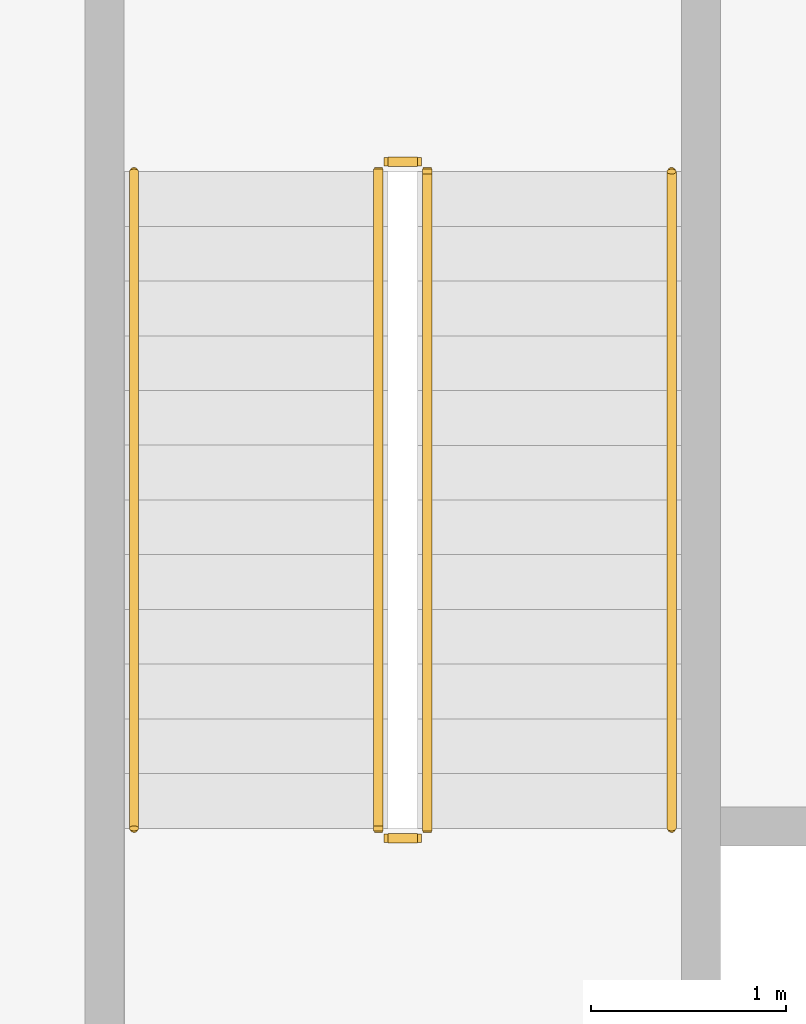
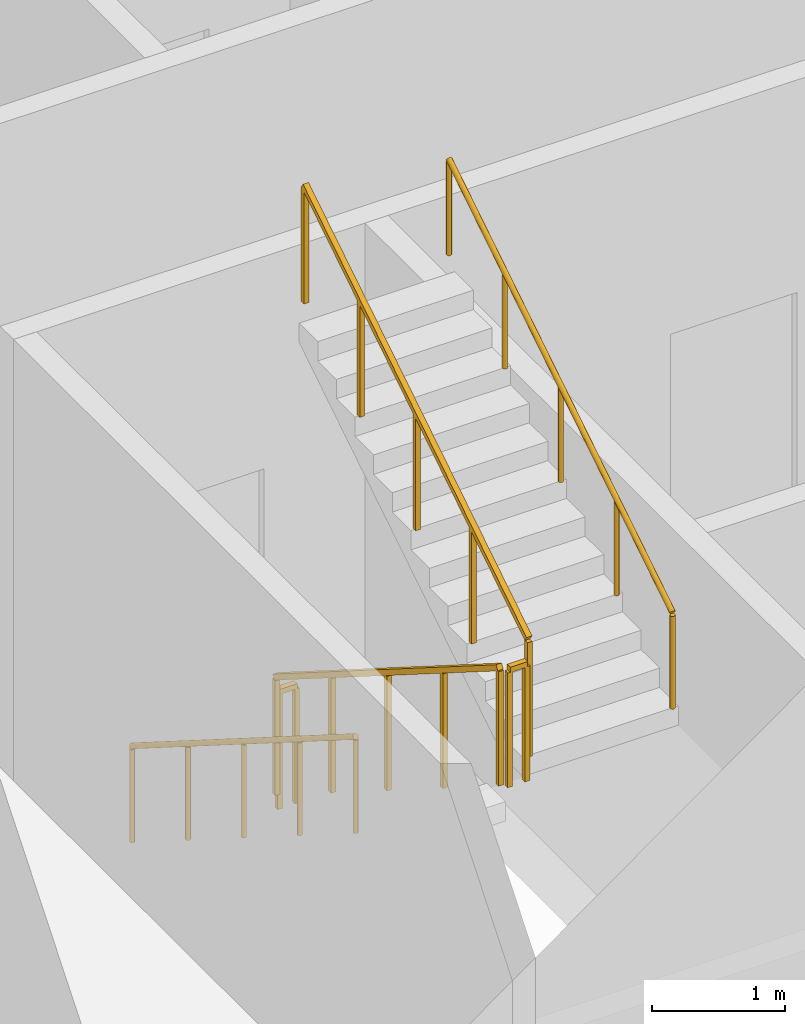
# One storey, part 16 of 20: 6 railings.
"""IFC4 building model written with IfcOpenShell, lengths in metres."""

from ifc_helpers import new_model, si_unit, direction, frame, origin, origin_2d, place, context, subcontext, project, spatial, rectangle, circle, extrude, material, type_object, element, save


model = new_model("IFC4")

# Units and contexts
model_context = context("Model", 3, precision=1e-05, world=origin(), true_north=direction((0.0, 1.0)))
body_context = subcontext(model_context, "Body", "Model", "MODEL_VIEW")
ifc_project = project(units=[si_unit("LENGTHUNIT", "METRE"), si_unit("AREAUNIT", "SQUARE_METRE"), si_unit("VOLUMEUNIT", "CUBIC_METRE"), si_unit("PLANEANGLEUNIT", "RADIAN"), si_unit("MASSUNIT", "GRAM", prefix="KILO")], contexts=[model_context])

# Site, building, storey
site_placement = place(None, origin())
site = spatial("IfcSite", under=ifc_project, at=site_placement, CompositionType="ELEMENT")
building_placement = place(site_placement, origin())
building = spatial("IfcBuilding", under=site, at=building_placement, Name="Mangrove Gate Tower", CompositionType="ELEMENT")
storey_placement = place(building_placement, frame((0.0, 0.0, 52.10009765625)))
storey = spatial("IfcBuildingStorey", under=building, at=storey_placement, Name="L12", CompositionType="ELEMENT", Elevation=52.10009765625)

# Railings
ifc_material_1 = material(Name="Stainless steel 316", Category="steel")
railing_type_1 = type_object("IfcRailingType", Name="Core stair guard 1100", PredefinedType="GUARDRAIL", material=ifc_material_1)
railing_1_placement = place(storey_placement, frame((-9.39990234375, -4.64990234375, 0.1767578125)))
element("IfcRailing", 1, at=railing_1_placement, inside=storey, type_object=railing_type_1, Name="L12 ST1 stair guard 1", PredefinedType="GUARDRAIL", context=body_context, shape_type="SweptSolid", body=[
    extrude(rectangle(XDim=0.048095703125, YDim=0.048095703125, at=origin_2d()), frame((0.0, 0.0, 1.076171875), z_axis=(0.0, -0.845389635667, 0.534150132366), x_axis=(1.0, 0.0, 0.0)), (0.0, 0.0, 1.0), 3.974609375),
    extrude(rectangle(XDim=0.0419921875, YDim=0.0419921875, at=origin_2d()), origin(), (0.0, 0.0, 1.0), 1.052001953125),
    extrude(rectangle(XDim=0.0419921875, YDim=0.0419921875, at=origin_2d()), frame((0.0, -0.840087890625, 0.53076171875)), (0.0, 0.0, 1.0), 1.052001953125),
    extrude(rectangle(XDim=0.0419921875, YDim=0.0419921875, at=origin_2d()), frame((0.0, -1.68017578125, 1.0615234375)), (0.0, 0.0, 1.0), 1.052001953125),
    extrude(rectangle(XDim=0.0419921875, YDim=0.0419921875, at=origin_2d()), frame((0.0, -2.52001953125, 1.59228515625)), (0.0, 0.0, 1.0), 1.052001953125),
    extrude(rectangle(XDim=0.0419921875, YDim=0.0419921875, at=origin_2d()), frame((0.0, -3.360107421875, 2.123046875)), (0.0, 0.0, 1.0), 1.052001953125),
])
railing_2_placement = place(storey_placement, frame((-9.35009765625, -8.06005859375, 2.2998046875)))
element("IfcRailing", 2, at=railing_2_placement, inside=storey, type_object=railing_type_1, Name="L12 ST1 stair guard 2", PredefinedType="GUARDRAIL", context=body_context, shape_type="SweptSolid", body=[
    extrude(rectangle(XDim=0.048095703125, YDim=0.048095703125, at=origin_2d()), frame((0.0, 0.0, 1.076171875), z_axis=(1.0, 0.0, 0.0), x_axis=(0.0, 1.0, 0.0)), (0.0, 0.0, 1.0), 0.150146484375),
    extrude(rectangle(XDim=0.0419921875, YDim=0.0419921875, at=origin_2d()), origin(), (0.0, 0.0, 1.0), 1.052001953125),
    extrude(rectangle(XDim=0.0419921875, YDim=0.0419921875, at=origin_2d()), frame((0.150146484375, 0.0, 0.0)), (0.0, 0.0, 1.0), 1.052001953125),
])
railing_3_placement = place(storey_placement, frame((-9.14990234375, -8.010009765625, 2.476806640625)))
element("IfcRailing", 3, at=railing_3_placement, inside=storey, type_object=railing_type_1, Name="L12 ST1 stair guard 3", PredefinedType="GUARDRAIL", context=body_context, shape_type="SweptSolid", body=[
    extrude(rectangle(XDim=0.048095703125, YDim=0.048095703125, at=origin_2d()), frame((0.0, 0.0, 1.076171875), z_axis=(0.0, 0.845389635667, 0.534150132366), x_axis=(-1.0, 0.0, 0.0)), (0.0, 0.0, 1.0), 3.974609375),
    extrude(rectangle(XDim=0.0419921875, YDim=0.0419921875, at=origin_2d()), origin(), (0.0, 0.0, 1.0), 1.052001953125),
    extrude(rectangle(XDim=0.0419921875, YDim=0.0419921875, at=origin_2d()), frame((0.0, 0.840087890625, 0.53076171875)), (0.0, 0.0, 1.0), 1.052001953125),
    extrude(rectangle(XDim=0.0419921875, YDim=0.0419921875, at=origin_2d()), frame((0.0, 1.68017578125, 1.0615234375)), (0.0, 0.0, 1.0), 1.052001953125),
    extrude(rectangle(XDim=0.0419921875, YDim=0.0419921875, at=origin_2d()), frame((0.0, 2.52001953125, 1.59228515625)), (0.0, 0.0, 1.0), 1.052001953125),
    extrude(rectangle(XDim=0.0419921875, YDim=0.0419921875, at=origin_2d()), frame((0.0, 3.360107421875, 2.123046875)), (0.0, 0.0, 1.0), 1.052001953125),
])
railing_4_placement = place(storey_placement, frame((-9.35009765625, -4.60009765625, 0.0)))
element("IfcRailing", 4, at=railing_4_placement, inside=storey, type_object=railing_type_1, Name="L12 ST1 stair guard 4", PredefinedType="GUARDRAIL", context=body_context, shape_type="SweptSolid", body=[
    extrude(rectangle(XDim=0.048095703125, YDim=0.048095703125, at=origin_2d()), frame((0.0, 0.0, 1.076171875), z_axis=(1.0, 0.0, 0.0), x_axis=(0.0, 1.0, 0.0)), (0.0, 0.0, 1.0), 0.150146484375),
    extrude(rectangle(XDim=0.0419921875, YDim=0.0419921875, at=origin_2d()), origin(), (0.0, 0.0, 1.0), 1.052001953125),
    extrude(rectangle(XDim=0.0419921875, YDim=0.0419921875, at=origin_2d()), frame((0.150146484375, 0.0, 0.0)), (0.0, 0.0, 1.0), 1.052001953125),
])
ifc_material_2 = material(Name="Stainless steel 316", Category="steel")
railing_type_2 = type_object("IfcRailingType", Name="Core stair handrail 900", PredefinedType="HANDRAIL", material=ifc_material_2)
railing_5_placement = place(storey_placement, frame((-10.64990234375, -4.64990234375, 0.1767578125)))
element("IfcRailing", 5, at=railing_5_placement, inside=storey, type_object=railing_type_2, Name="L12 ST1 stair handrail 1", PredefinedType="HANDRAIL", context=body_context, shape_type="SweptSolid", body=[
    extrude(circle(Radius=0.02392578125, at=origin_2d()), frame((0.0, 0.0, 0.8759765625), z_axis=(0.0, -0.845389635667, 0.534150132366), x_axis=(1.0, 0.0, 0.0)), (0.0, 0.0, 1.0), 3.974609375),
    extrude(circle(Radius=0.02099609375, at=origin_2d()), origin(), (0.0, 0.0, 1.0), 0.851806640625),
    extrude(circle(Radius=0.02099609375, at=origin_2d()), frame((0.0, -0.840087890625, 0.53076171875)), (0.0, 0.0, 1.0), 0.851806640625),
    extrude(circle(Radius=0.02099609375, at=origin_2d()), frame((0.0, -1.68017578125, 1.0615234375)), (0.0, 0.0, 1.0), 0.851806640625),
    extrude(circle(Radius=0.02099609375, at=origin_2d()), frame((0.0, -2.52001953125, 1.59228515625)), (0.0, 0.0, 1.0), 0.851806640625),
    extrude(circle(Radius=0.02099609375, at=origin_2d()), frame((0.0, -3.360107421875, 2.123046875)), (0.0, 0.0, 1.0), 0.851806640625),
])
railing_6_placement = place(storey_placement, frame((-7.89990234375, -8.010009765625, 2.476806640625)))
element("IfcRailing", 6, at=railing_6_placement, inside=storey, type_object=railing_type_2, Name="L12 ST1 stair handrail 2", PredefinedType="HANDRAIL", context=body_context, shape_type="SweptSolid", body=[
    extrude(circle(Radius=0.02392578125, at=origin_2d()), frame((0.0, 0.0, 0.8759765625), z_axis=(0.0, 0.845389635667, 0.534150132366), x_axis=(-1.0, 0.0, 0.0)), (0.0, 0.0, 1.0), 3.974609375),
    extrude(circle(Radius=0.02099609375, at=origin_2d()), origin(), (0.0, 0.0, 1.0), 0.851806640625),
    extrude(circle(Radius=0.02099609375, at=origin_2d()), frame((0.0, 0.840087890625, 0.53076171875)), (0.0, 0.0, 1.0), 0.851806640625),
    extrude(circle(Radius=0.02099609375, at=origin_2d()), frame((0.0, 1.68017578125, 1.0615234375)), (0.0, 0.0, 1.0), 0.851806640625),
    extrude(circle(Radius=0.02099609375, at=origin_2d()), frame((0.0, 2.52001953125, 1.59228515625)), (0.0, 0.0, 1.0), 0.851806640625),
    extrude(circle(Radius=0.02099609375, at=origin_2d()), frame((0.0, 3.360107421875, 2.123046875)), (0.0, 0.0, 1.0), 0.851806640625),
])

save(model, "model.ifc")
